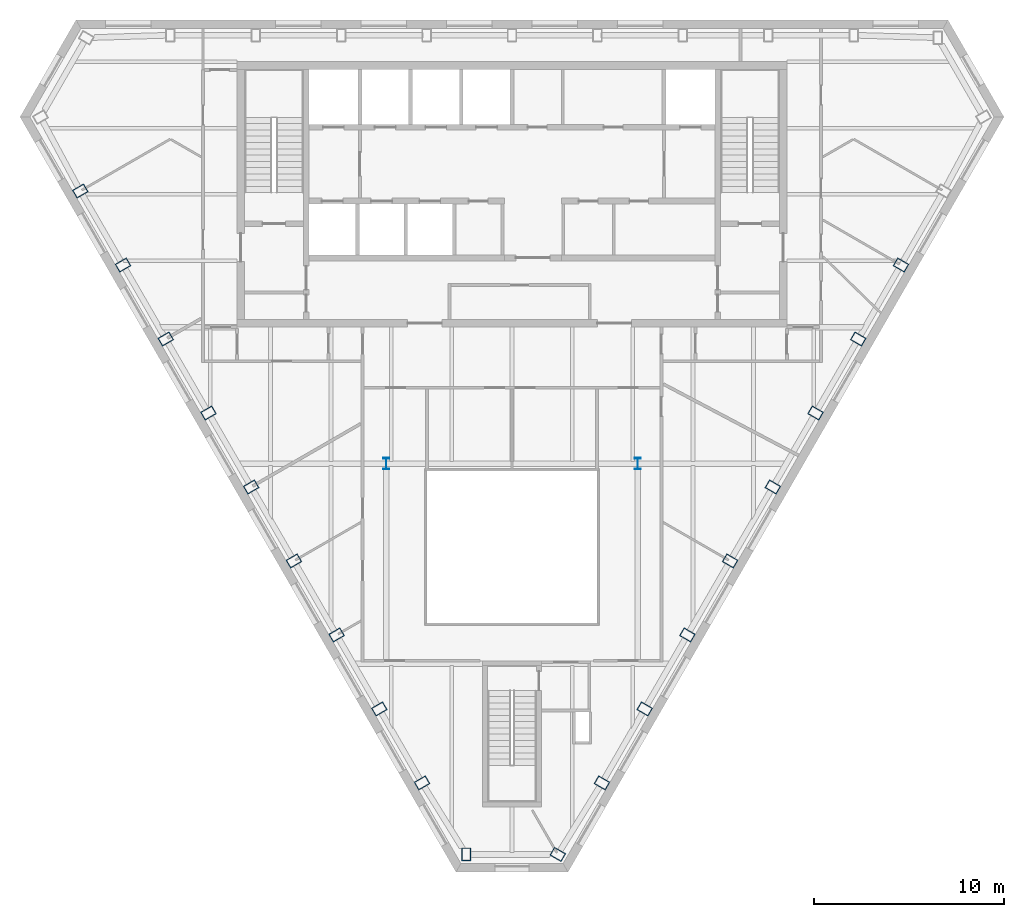
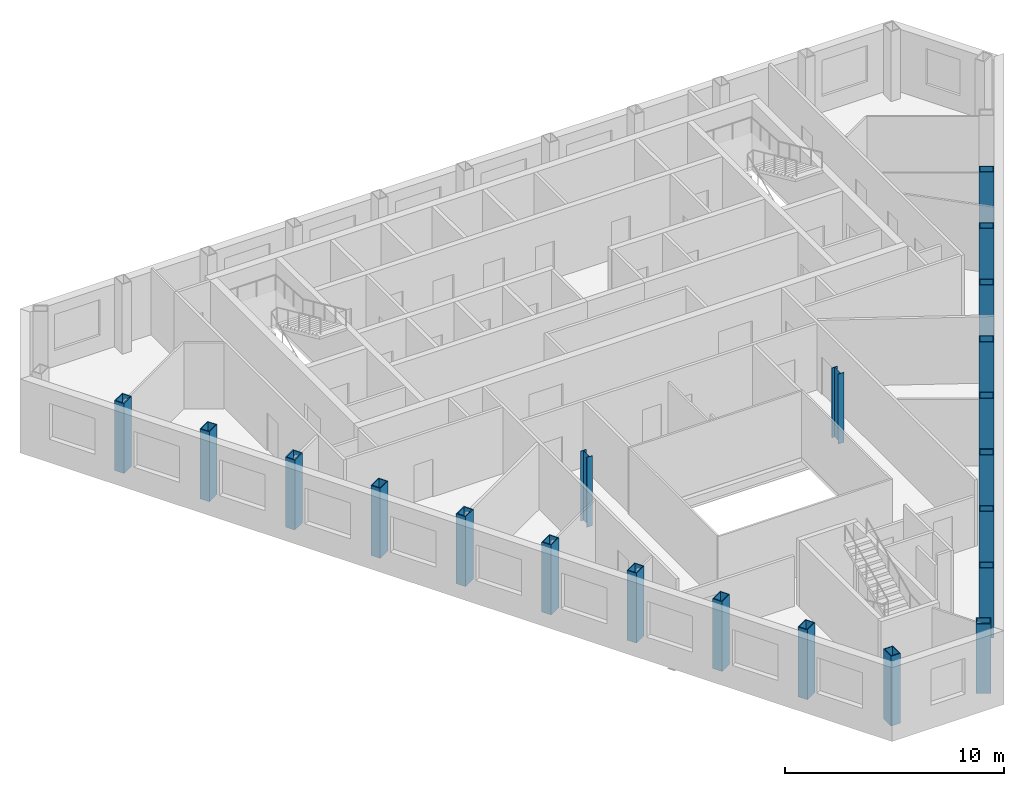
# One storey, part 1 of 10: 21 columns.
"""IFC4 building model written with IfcOpenShell, lengths in metres."""

from ifc_helpers import new_model, si_unit, direction, frame, origin, origin_2d, place, context, subcontext, project, spatial, hollow_rectangle, i_section, extrude, material, material_profile, profile_set, type_object, element, save


model = new_model("IFC4")

# Units and contexts
model_context = context("Model", 3, precision=1e-05, world=origin(), true_north=direction((0.0, 1.0)))
body_context = subcontext(model_context, "Body", "Model", "MODEL_VIEW")
ifc_project = project(units=[si_unit("LENGTHUNIT", "METRE"), si_unit("AREAUNIT", "SQUARE_METRE"), si_unit("VOLUMEUNIT", "CUBIC_METRE"), si_unit("PLANEANGLEUNIT", "RADIAN"), si_unit("MASSUNIT", "GRAM", prefix="KILO")], contexts=[model_context])

# Site, building, storey
site_placement = place(None, origin())
site = spatial("IfcSite", under=ifc_project, at=site_placement, CompositionType="ELEMENT")
building_placement = place(site_placement, origin())
building = spatial("IfcBuilding", under=site, at=building_placement, Name="Njiva Tower", CompositionType="ELEMENT")
storey_placement = place(building_placement, frame((0.0, 0.0, 264.9)))
storey = spatial("IfcBuildingStorey", under=building, at=storey_placement, Name="L60", CompositionType="ELEMENT", Elevation=264.9)

# Columns
ifc_material = material(Name="Steel S355 J2", Category="steel")
ifc_material_profile_1 = material_profile(ifc_material, hollow_rectangle(XDim=0.5, YDim=0.7, WallThickness=0.045, at=origin_2d()), Name="BOX 700x500x45")
ifc_profile_set_1 = profile_set([ifc_material_profile_1], Name="Steel S355 J2")
column_type_1 = type_object("IfcColumnType", Name="C13 Perimeter tube column BOX 700x500x45", PredefinedType="COLUMN", material=ifc_profile_set_1)
for number, where, z_axis, x_axis, name in (
    (1, (-22.773, 11.179, 0.0), (0.0, 0.0, 1.0), (0.5, -0.866025403784, 0.0), "Perimeter tube column S19-C13"),
    (2, (-20.52, 7.276, 0.0), (0.0, 0.0, 1.0), (0.5, -0.866025403784, 0.0), "Perimeter tube column S19-C14"),
    (3, (-18.266, 3.373, 0.0), (0.0, 0.0, 1.0), (0.5, -0.866025403784, 0.0), "Perimeter tube column S19-C15"),
    (4, (-16.013, -0.53, 0.0), (0.0, 0.0, 1.0), (0.5, -0.866025403784, 0.0), "Perimeter tube column S19-C16"),
    (5, (-13.76, -4.432, 0.0), (0.0, 0.0, 1.0), (0.5, -0.866025403784, 0.0), "Perimeter tube column S19-C17"),
    (6, (-11.506, -8.335, 0.0), (0.0, 0.0, 1.0), (0.5, -0.866025403784, 0.0), "Perimeter tube column S19-C18"),
    (7, (-9.253, -12.238, 0.0), (0.0, 0.0, 1.0), (0.5, -0.866025403784, 0.0), "Perimeter tube column S19-C19"),
    (8, (-7.0, -16.141, 0.0), (0.0, 0.0, 1.0), (0.5, -0.866025403784, 0.0), "Perimeter tube column S19-C20"),
    (9, (-4.746, -20.044, 0.0), (0.0, 0.0, 1.0), (0.5, -0.866025403784, 0.0), "Perimeter tube column S19-C21"),
    (10, (-2.416, -23.814, 0.0), (0.0, 0.0, 1.0), (1.0, 0.0, 0.0), "Perimeter tube column S19-C22"),
    (11, (2.416, -23.814, 0.0), (0.0, 0.0, 1.0), (0.5, 0.866025403784, 0.0), "Perimeter tube column S19-C23"),
    (12, (4.746, -20.044, 0.0), (0.0, 0.0, 1.0), (0.5, 0.866025403784, 0.0), "Perimeter tube column S19-C24"),
    (13, (7.0, -16.141, 0.0), (0.0, 0.0, 1.0), (0.5, 0.866025403784, 0.0), "Perimeter tube column S19-C25"),
    (14, (9.253, -12.238, 0.0), (0.0, 0.0, 1.0), (0.5, 0.866025403784, 0.0), "Perimeter tube column S19-C26"),
    (15, (11.506, -8.335, 0.0), (0.0, 0.0, 1.0), (0.5, 0.866025403784, 0.0), "Perimeter tube column S19-C27"),
    (16, (13.76, -4.432, 0.0), (0.0, 0.0, 1.0), (0.5, 0.866025403784, 0.0), "Perimeter tube column S19-C28"),
    (17, (16.013, -0.53, 0.0), (0.0, 0.0, 1.0), (0.5, 0.866025403784, 0.0), "Perimeter tube column S19-C29"),
    (18, (18.266, 3.373, 0.0), (0.0, 0.0, 1.0), (0.5, 0.866025403784, 0.0), "Perimeter tube column S19-C30"),
    (19, (20.52, 7.276, 0.0), (0.0, 0.0, 1.0), (0.5, 0.866025403784, 0.0), "Perimeter tube column S19-C31"),
):
    element("IfcColumn", number, at=place(storey_placement, frame(where, z_axis=z_axis, x_axis=x_axis)), inside=storey, type_object=column_type_1, Name=name, PredefinedType="COLUMN", context=body_context, shape_type="SweptSolid", body=[
        extrude(hollow_rectangle(XDim=0.5, YDim=0.7, WallThickness=0.045, at=origin_2d()), origin(), (0.0, 0.0, 1.0), 3.9),
    ])
ifc_material_profile_2 = material_profile(ifc_material, i_section(OverallWidth=0.3, OverallDepth=0.6, WebThickness=0.0155, FlangeThickness=0.03, at=origin_2d()), Name="HEB 600")
ifc_profile_set_2 = profile_set([ifc_material_profile_2], Name="Steel S355 J2")
column_type_2 = type_object("IfcColumnType", Name="C14 Interior column HEB 600", PredefinedType="COLUMN", material=ifc_profile_set_2)
for number, where, z_axis, x_axis, name in (
    (20, (6.63, -3.2, 0.0), (0.0, 0.0, 1.0), (1.0, 0.0, 0.0), "Interior column S19-C34"),
    (21, (-6.63, -3.2, 0.0), (0.0, 0.0, 1.0), (1.0, 0.0, 0.0), "Interior column S19-C35"),
):
    element("IfcColumn", number, at=place(storey_placement, frame(where, z_axis=z_axis, x_axis=x_axis)), inside=storey, type_object=column_type_2, Name=name, PredefinedType="COLUMN", context=body_context, shape_type="SweptSolid", body=[
        extrude(i_section(OverallWidth=0.3, OverallDepth=0.6, WebThickness=0.0155, FlangeThickness=0.03, at=origin_2d()), origin(), (0.0, 0.0, 1.0), 3.9),
    ])

save(model, "model.ifc")
